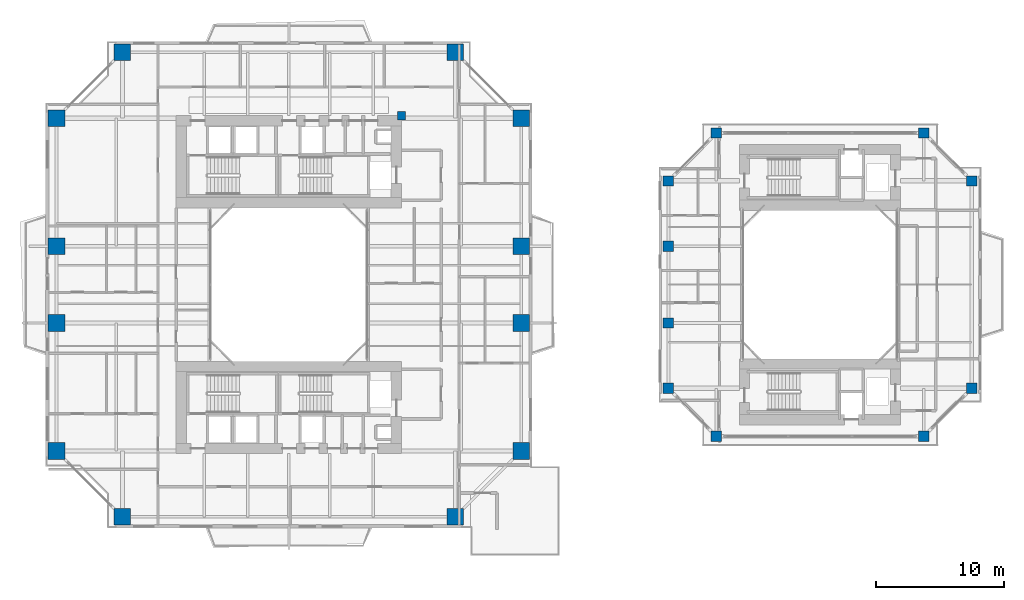
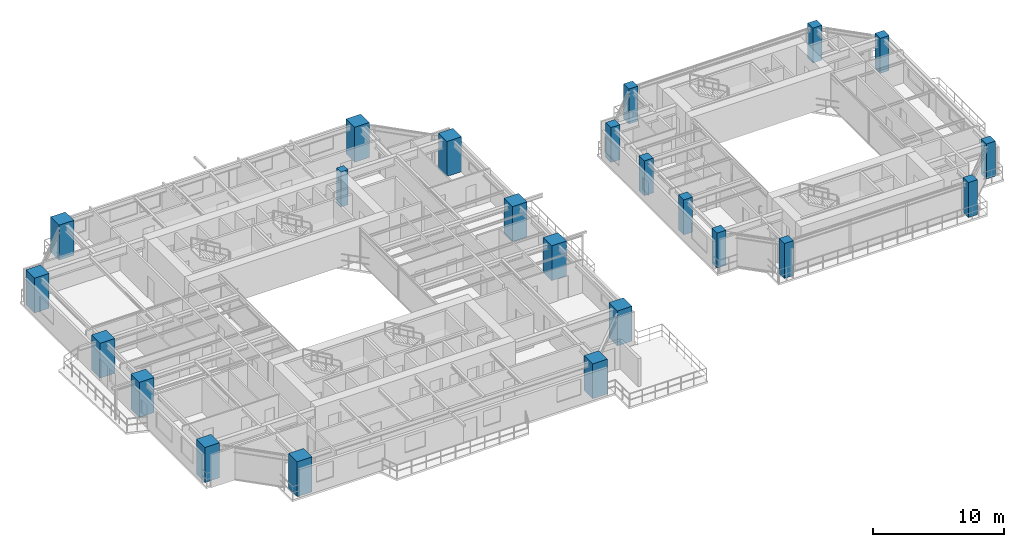
# One storey, part 1 of 23: 23 columns.
"""IFC4 building model written with IfcOpenShell, lengths in metres."""

from ifc_helpers import new_model, si_unit, direction, frame, origin, origin_2d, place, context, subcontext, project, spatial, rectangle, extrude, source, transform, mapped, material, material_profile, profile_set, type_object, element, save


model = new_model("IFC4")

# Units and contexts
model_context = context("Model", 3, precision=1e-05, world=origin(), true_north=direction((0.0, 1.0)))
body_context = subcontext(model_context, "Body", "Model", "MODEL_VIEW")
ifc_project = project(units=[si_unit("LENGTHUNIT", "METRE"), si_unit("AREAUNIT", "SQUARE_METRE"), si_unit("VOLUMEUNIT", "CUBIC_METRE"), si_unit("PLANEANGLEUNIT", "RADIAN"), si_unit("MASSUNIT", "GRAM", prefix="KILO"), si_unit("THERMODYNAMICTEMPERATUREUNIT", "KELVIN"), si_unit("POWERUNIT", "WATT")], contexts=[model_context])

# Site, building, storey
site_placement = place(None, origin())
site = spatial("IfcSite", under=ifc_project, at=site_placement, CompositionType="ELEMENT")
building_placement = place(site_placement, origin())
building = spatial("IfcBuilding", under=site, at=building_placement, Name="Qiaomeng Ring Towers", CompositionType="ELEMENT")
storey_placement = place(building_placement, frame((0.0, 0.0, 73.0)))
storey = spatial("IfcBuildingStorey", under=building, at=storey_placement, Name="L20", CompositionType="ELEMENT", Elevation=73.0)

# Columns
ifc_material_1 = material(Name="Concrete C50", Category="concrete")
ifc_material_profile_1 = material_profile(ifc_material_1, rectangle(XDim=0.64990234375, YDim=0.64990234375, at=origin_2d()), Name="RC COL 650x650")
ifc_profile_set_1 = profile_set([ifc_material_profile_1], Name="Concrete C50")
column_type_1 = type_object("IfcColumnType", Name="STR-PIL-650", PredefinedType="PILASTER", material=ifc_profile_set_1)
shared_shape_1 = source(origin(), body_context, "Body", "SweptSolid", [
    extrude(rectangle(XDim=0.64990234375, YDim=0.64990234375, at=origin_2d()), origin(), (0.0, 0.0, 1.0), 3.25),
])
column_placement = place(storey_placement, frame((27.800048828125, 36.199951171875, 0.0), z_axis=(0.0, 0.0, 1.0), x_axis=(1.0, 0.0, 0.0)))
element("IfcColumn", 1, at=column_placement, inside=storey, type_object=column_type_1, Name="L20 column STR-PIL-L20-N", PredefinedType="PILASTER", context=body_context, shape_type="MappedRepresentation", body=[
    mapped(shared_shape_1, transform((0.0, 0.0, 0.0), x_axis=(1.0, 0.0, 0.0), y_axis=(0.0, 1.0, 0.0), z_axis=(0.0, 0.0, 1.0), scale=1.0)),
])
ifc_material_2 = material(Name="Concrete C60", Category="concrete")
ifc_material_profile_2 = material_profile(ifc_material_2, rectangle(XDim=1.300048828125, YDim=1.300048828125, at=origin_2d()), Name="RC COL 1300x1300")
ifc_profile_set_2 = profile_set([ifc_material_profile_2], Name="Concrete C60")
column_type_2 = type_object("IfcColumnType", Name="STR-COL-1300", PredefinedType="COLUMN", material=ifc_profile_set_2)
shared_shape_2 = source(origin(), body_context, "Body", "SweptSolid", [
    extrude(rectangle(XDim=1.300048828125, YDim=1.300048828125, at=origin_2d()), origin(), (0.0, 0.0, 1.0), 3.25),
])
for number, where, z_axis, x_axis, name in (
    (2, (6.0, 4.85009765625, 0.0), (0.0, 0.0, 1.0), (1.0, 0.0, 0.0), "L20 column STR-COL-L20-T1-S1"),
    (3, (32.0, 4.85009765625, 0.0), (0.0, 0.0, 1.0), (1.0, 0.0, 0.0), "L20 column STR-COL-L20-T1-S2"),
    (4, (37.14990234375, 10.0, 0.0), (0.0, 0.0, 1.0), (1.0, 0.0, 0.0), "L20 column STR-COL-L20-T1-E1"),
    (5, (37.14990234375, 20.0, 0.0), (0.0, 0.0, 1.0), (1.0, 0.0, 0.0), "L20 column STR-COL-L20-T1-E2"),
    (6, (37.14990234375, 26.0, 0.0), (0.0, 0.0, 1.0), (1.0, 0.0, 0.0), "L20 column STR-COL-L20-T1-E3"),
    (7, (37.14990234375, 36.0, 0.0), (0.0, 0.0, 1.0), (1.0, 0.0, 0.0), "L20 column STR-COL-L20-T1-E4"),
    (8, (32.0, 41.14990234375, 0.0), (0.0, 0.0, 1.0), (1.0, 0.0, 0.0), "L20 column STR-COL-L20-T1-N2"),
    (9, (6.0, 41.14990234375, 0.0), (0.0, 0.0, 1.0), (1.0, 0.0, 0.0), "L20 column STR-COL-L20-T1-N1"),
    (10, (0.85009765625, 36.0, 0.0), (0.0, 0.0, 1.0), (1.0, 0.0, 0.0), "L20 column STR-COL-L20-T1-W4"),
    (11, (0.85009765625, 26.0, 0.0), (0.0, 0.0, 1.0), (1.0, 0.0, 0.0), "L20 column STR-COL-L20-T1-W3"),
    (12, (0.85009765625, 20.0, 0.0), (0.0, 0.0, 1.0), (1.0, 0.0, 0.0), "L20 column STR-COL-L20-T1-W2"),
    (13, (0.85009765625, 10.0, 0.0), (0.0, 0.0, 1.0), (1.0, 0.0, 0.0), "L20 column STR-COL-L20-T1-W1"),
):
    element("IfcColumn", number, at=place(storey_placement, frame(where, z_axis=z_axis, x_axis=x_axis)), inside=storey, type_object=column_type_2, Name=name, PredefinedType="COLUMN", context=body_context, shape_type="MappedRepresentation", body=[
        mapped(shared_shape_2, transform((0.0, 0.0, 0.0), x_axis=(1.0, 0.0, 0.0), y_axis=(0.0, 1.0, 0.0), z_axis=(0.0, 0.0, 1.0), scale=1.0)),
    ])
ifc_material_3 = material(Name="Concrete C55", Category="concrete")
ifc_material_profile_3 = material_profile(ifc_material_3, rectangle(XDim=0.800048828125, YDim=0.800048828125, at=origin_2d()), Name="RC COL 800x800")
ifc_profile_set_3 = profile_set([ifc_material_profile_3], Name="Concrete C55")
column_type_3 = type_object("IfcColumnType", Name="STR-COL-800-C55", PredefinedType="COLUMN", material=ifc_profile_set_3)
shared_shape_3 = source(origin(), body_context, "Body", "SweptSolid", [
    extrude(rectangle(XDim=0.800048828125, YDim=0.800048828125, at=origin_2d()), origin(), (0.0, 0.0, 1.0), 3.25),
])
for number, where, z_axis, x_axis, name in (
    (14, (52.39990234375, 11.14990234375, 0.0), (0.0, 0.0, 1.0), (1.0, 0.0, 0.0), "L20 column STR-COL-L20-T2-S1"),
    (15, (68.60009765625, 11.14990234375, 0.0), (0.0, 0.0, 1.0), (1.0, 0.0, 0.0), "L20 column STR-COL-L20-T2-S2"),
    (16, (72.35009765625, 14.89990234375, 0.0), (0.0, 0.0, 1.0), (1.0, 0.0, 0.0), "L20 column STR-COL-L20-T2-E1"),
    (17, (72.35009765625, 31.10009765625, 0.0), (0.0, 0.0, 1.0), (1.0, 0.0, 0.0), "L20 column STR-COL-L20-T2-E2"),
    (18, (68.60009765625, 34.85009765625, 0.0), (0.0, 0.0, 1.0), (1.0, 0.0, 0.0), "L20 column STR-COL-L20-T2-N2"),
    (19, (52.39990234375, 34.85009765625, 0.0), (0.0, 0.0, 1.0), (1.0, 0.0, 0.0), "L20 column STR-COL-L20-T2-N1"),
    (20, (48.64990234375, 14.89990234375, 0.0), (0.0, 0.0, 1.0), (1.0, 0.0, 0.0), "L20 column STR-COL-L20-T2-W1"),
    (21, (48.64990234375, 20.0, 0.0), (0.0, 0.0, 1.0), (1.0, 0.0, 0.0), "L20 column STR-COL-L20-T2-W2"),
    (22, (48.64990234375, 26.0, 0.0), (0.0, 0.0, 1.0), (1.0, 0.0, 0.0), "L20 column STR-COL-L20-T2-W3"),
    (23, (48.64990234375, 31.10009765625, 0.0), (0.0, 0.0, 1.0), (1.0, 0.0, 0.0), "L20 column STR-COL-L20-T2-W4"),
):
    element("IfcColumn", number, at=place(storey_placement, frame(where, z_axis=z_axis, x_axis=x_axis)), inside=storey, type_object=column_type_3, Name=name, PredefinedType="COLUMN", context=body_context, shape_type="MappedRepresentation", body=[
        mapped(shared_shape_3, transform((0.0, 0.0, 0.0), x_axis=(1.0, 0.0, 0.0), y_axis=(0.0, 1.0, 0.0), z_axis=(0.0, 0.0, 1.0), scale=1.0)),
    ])

save(model, "model.ifc")
